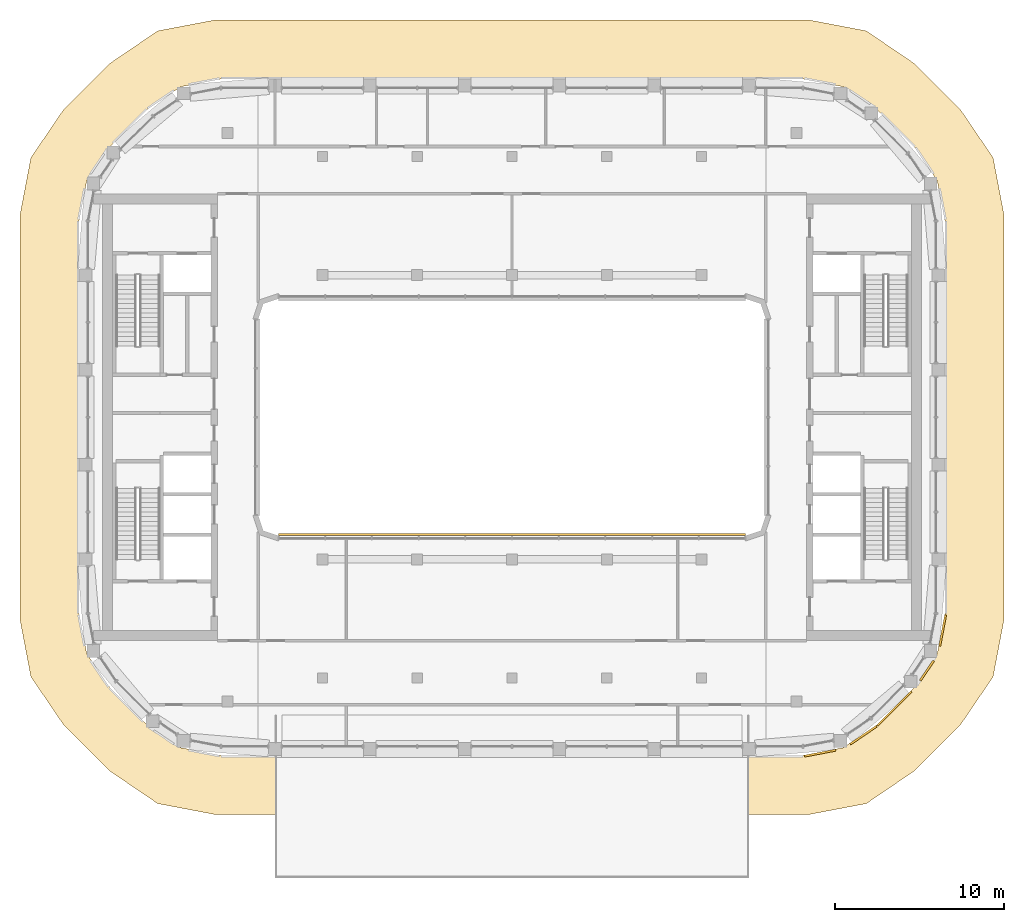
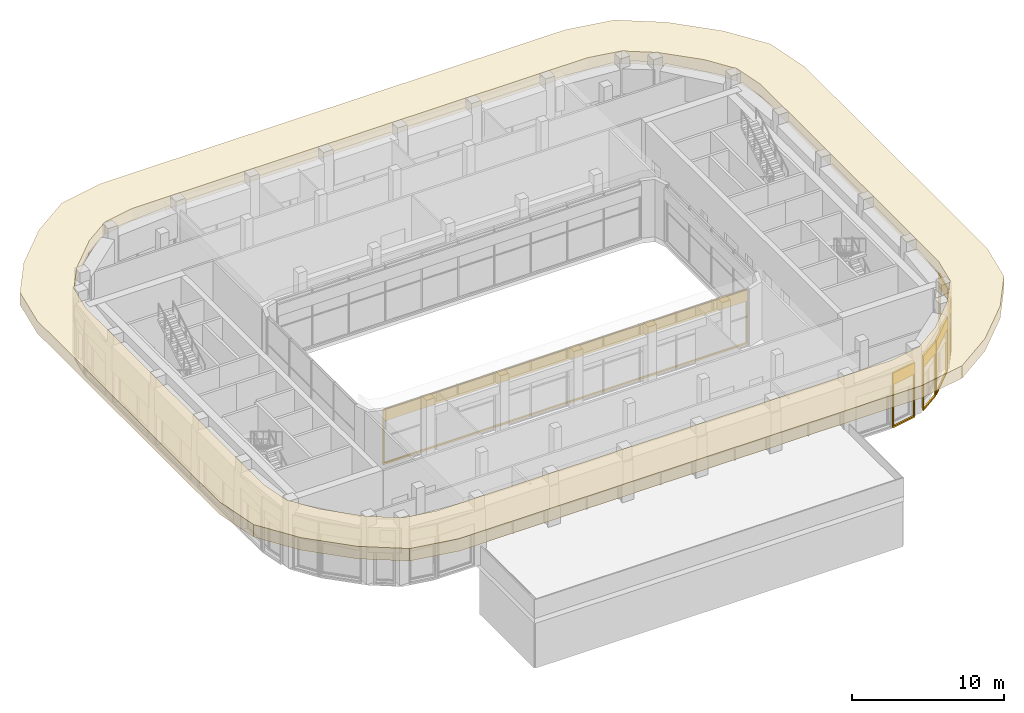
# One storey, part 19 of 23: 7 coverings.
"""IFC4 building model written with IfcOpenShell, lengths in metres."""

from ifc_helpers import new_model, si_unit, direction, frame, origin, place, context, subcontext, project, spatial, polyline, outline, extrude, material, layer, layer_set, type_object, element, save


model = new_model("IFC4")

# Units and contexts
model_context = context("Model", 3, precision=1e-05, world=origin(), true_north=direction((0.0, 1.0)))
body_context = subcontext(model_context, "Body", "Model", "MODEL_VIEW")
ifc_project = project(units=[si_unit("LENGTHUNIT", "METRE"), si_unit("AREAUNIT", "SQUARE_METRE"), si_unit("VOLUMEUNIT", "CUBIC_METRE"), si_unit("PLANEANGLEUNIT", "RADIAN"), si_unit("MASSUNIT", "GRAM", prefix="KILO")], contexts=[model_context])

# Site, building, storey
site_placement = place(None, origin())
site = spatial("IfcSite", under=ifc_project, at=site_placement, CompositionType="ELEMENT")
building_placement = place(site_placement, origin())
building = spatial("IfcBuilding", under=site, at=building_placement, Name="Kiln Ring Residences", CompositionType="ELEMENT")
storey_placement = place(building_placement, frame((0.0, 0.0, 294.5)))
storey = spatial("IfcBuildingStorey", under=building, at=storey_placement, Name="L76", CompositionType="ELEMENT", Elevation=294.5)

# Coverings
ifc_material_1 = material(Name="Brick masonry, dark clay brick", Category="masonry")
ifc_layer_1 = layer(ifc_material_1, 0.1201171875)
ifc_layer_set_1 = layer_set([ifc_layer_1], Name="RAINSCREEN PANEL 120")
covering_type_1 = type_object("IfcCoveringType", Name="RAINSCREEN PANEL 120", PredefinedType="CLADDING", material=ifc_layer_set_1)
for number, where, z_axis, x_axis, name in (
    (1, (17.281494140625, -20.02734375, 0.0), (0.0, 0.0, 1.0), (0.982284001233, 0.187398348234, 0.0), "RAINSCREEN L76"),
    (2, (19.98583984375, -19.320068359375, 0.0), (0.0, 0.0, 1.0), (0.82704477487, 0.562136051469, 0.0), "RAINSCREEN L76"),
):
    element("IfcCovering", number, at=place(storey_placement, frame(where, z_axis=z_axis, x_axis=x_axis)), inside=storey, type_object=covering_type_1, Name=name, PredefinedType="CLADDING", context=body_context, shape_type="SweptSolid", body=[
        extrude(outline(polyline([(0.0, 0.0), (1.881103515625, 0.0), (1.881103515625, 4.39990234375), (0.0, 4.39990234375), (0.0, 0.0)]), holes=[polyline([(0.080078125, 3.469970703125), (0.080078125, 0.1298828125), (1.801025390625, 0.1298828125), (1.801025390625, 3.469970703125), (0.080078125, 3.469970703125)])]), frame((0.0, 0.06005859375, 0.0), z_axis=(0.0, -1.0, 0.0), x_axis=(1.0, 0.0, 0.0)), (0.0, 0.0, 1.0), 0.1201171875),
    ])
covering_1_placement = place(storey_placement, frame((21.604736328125, -18.21044921875, 0.0), z_axis=(0.0, 0.0, 1.0), x_axis=(0.707106781187, 0.707106781187, 0.0)))
element("IfcCovering", 3, at=covering_1_placement, inside=storey, type_object=covering_type_1, Name="RAINSCREEN L76", PredefinedType="CLADDING", context=body_context, shape_type="SweptSolid", body=[
    extrude(outline(polyline([(0.0, 0.0), (2.824951171875, 0.0), (2.824951171875, 4.39990234375), (0.0, 4.39990234375), (0.0, 0.0)]), holes=[polyline([(0.080078125, 3.469970703125), (0.080078125, 0.1298828125), (2.7451171875, 0.1298828125), (2.7451171875, 3.469970703125), (0.080078125, 3.469970703125)])]), frame((0.0, 0.06005859375, 0.0), z_axis=(0.0, -1.0, 0.0), x_axis=(1.0, 0.0, 0.0)), (0.0, 0.0, 1.0), 0.1201171875),
])
covering_2_placement = place(storey_placement, frame((24.117919921875, -15.566162109375, 0.0), z_axis=(0.0, 0.0, 1.0), x_axis=(0.562099454787, 0.827069648173, 0.0)))
element("IfcCovering", 4, at=covering_2_placement, inside=storey, type_object=covering_type_1, Name="RAINSCREEN L76", PredefinedType="CLADDING", context=body_context, shape_type="SweptSolid", body=[
    extrude(outline(polyline([(0.0, 0.0), (1.427001953125, 0.0), (1.427001953125, 4.39990234375), (0.0, 4.39990234375), (0.0, 0.0)]), holes=[polyline([(0.080078125, 3.469970703125), (0.080078125, 0.1298828125), (1.34716796875, 0.1298828125), (1.34716796875, 3.469970703125), (0.080078125, 3.469970703125)])]), frame((0.0, 0.06005859375, 0.0), z_axis=(0.0, -1.0, 0.0), x_axis=(1.0, 0.0, 0.0)), (0.0, 0.0, 1.0), 0.1201171875),
])
covering_3_placement = place(storey_placement, frame((25.27490234375, -13.529296875, 0.0), z_axis=(0.0, 0.0, 1.0), x_axis=(0.187273123953, 0.982307883021, 0.0)))
element("IfcCovering", 5, at=covering_3_placement, inside=storey, type_object=covering_type_1, Name="RAINSCREEN L76", PredefinedType="CLADDING", context=body_context, shape_type="SweptSolid", body=[
    extrude(outline(polyline([(0.0, 0.0), (1.881103515625, 0.0), (1.881103515625, 4.39990234375), (0.0, 4.39990234375), (0.0, 0.0)]), holes=[polyline([(0.080078125, 3.469970703125), (0.080078125, 0.1298828125), (1.801025390625, 0.1298828125), (1.801025390625, 3.469970703125), (0.080078125, 3.469970703125)])]), frame((0.0, 0.06005859375, 0.0), z_axis=(0.0, -1.0, 0.0), x_axis=(1.0, 0.0, 0.0)), (0.0, 0.0, 1.0), 0.1201171875),
])
covering_4_placement = place(storey_placement, frame((13.800048828125, -6.93994140625, 0.0), z_axis=(0.0, 0.0, 1.0), x_axis=(-1.0, 0.0, 0.0)))
element("IfcCovering", 6, at=covering_4_placement, inside=storey, type_object=covering_type_1, Name="RAINSCREEN L76", PredefinedType="CLADDING", context=body_context, shape_type="SweptSolid", body=[
    extrude(outline(polyline([(0.0, 0.0), (27.60009765625, 0.0), (27.60009765625, 4.39990234375), (0.0, 4.39990234375), (0.0, 0.0)]), holes=[polyline([(0.080078125, 3.469970703125), (0.080078125, 0.1298828125), (27.52001953125, 0.1298828125), (27.52001953125, 3.469970703125), (0.080078125, 3.469970703125)])]), frame((0.0, 0.06005859375, 0.0), z_axis=(0.0, -1.0, 0.0), x_axis=(1.0, 0.0, 0.0)), (0.0, 0.0, 1.0), 0.1201171875),
])
ifc_material_2 = material(Name="Black powder-coated steel", Category="steel")
ifc_layer_2 = layer(ifc_material_2, 1.0)
ifc_layer_set_2 = layer_set([ifc_layer_2], Name="SUNSHADE FIN 3500")
covering_type_2 = type_object("IfcCoveringType", Name="SUNSHADE FIN 3500", PredefinedType="CLADDING", material=ifc_layer_set_2)
covering_5_placement = place(storey_placement, frame((0.0, 0.0, 4.39990234375)))
element("IfcCovering", 7, at=covering_5_placement, inside=storey, type_object=covering_type_2, Name="SUNSHADE FIN L76", PredefinedType="CLADDING", context=body_context, shape_type="SweptSolid", body=[
    extrude(outline(polyline([(-28.431640625, -15.338623046875), (-26.501953125, -18.177978515625), (-23.778076171875, -20.902099609375), (-20.938720703125, -22.831787109375), (-17.56640625, -23.47509765625), (17.56640625, -23.47509765625), (20.938720703125, -22.831787109375), (23.778076171875, -20.902099609375), (26.501953125, -18.177978515625), (28.431640625, -15.338623046875), (29.074951171875, -11.96630859375), (29.074951171875, 11.96630859375), (28.431640625, 15.338623046875), (26.501953125, 18.177978515625), (23.778076171875, 20.902099609375), (20.938720703125, 22.831787109375), (17.56640625, 23.47509765625), (-17.56640625, 23.47509765625), (-20.938720703125, 22.831787109375), (-23.778076171875, 20.902099609375), (-26.501953125, 18.177978515625), (-28.431640625, 15.338623046875), (-29.074951171875, 11.96630859375), (-29.074951171875, -11.96630859375), (-28.431640625, -15.338623046875)]), holes=[polyline([(-21.537109375, -18.193115234375), (-23.793212890625, -15.937255859375), (-25.12939453125, -13.970703125), (-25.574951171875, -11.635498046875), (-25.574951171875, 11.635498046875), (-25.12939453125, 13.970703125), (-23.793212890625, 15.937255859375), (-21.537109375, 18.193115234375), (-19.57080078125, 19.529541015625), (-17.2353515625, 19.97509765625), (17.2353515625, 19.97509765625), (19.57080078125, 19.529541015625), (21.537109375, 18.193115234375), (23.793212890625, 15.937255859375), (25.12939453125, 13.970703125), (25.574951171875, 11.635498046875), (25.574951171875, -11.635498046875), (25.12939453125, -13.970703125), (23.793212890625, -15.937255859375), (21.537109375, -18.193115234375), (19.57080078125, -19.529541015625), (17.2353515625, -19.97509765625), (-17.2353515625, -19.97509765625), (-19.57080078125, -19.529541015625), (-21.537109375, -18.193115234375)])]), origin(), (0.0, 0.0, 1.0), 1.0),
])

save(model, "model.ifc")
